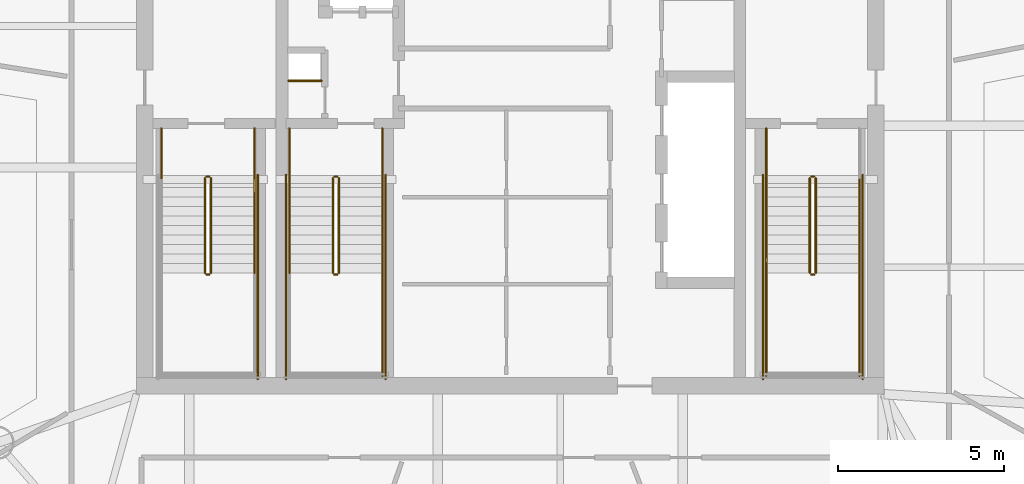
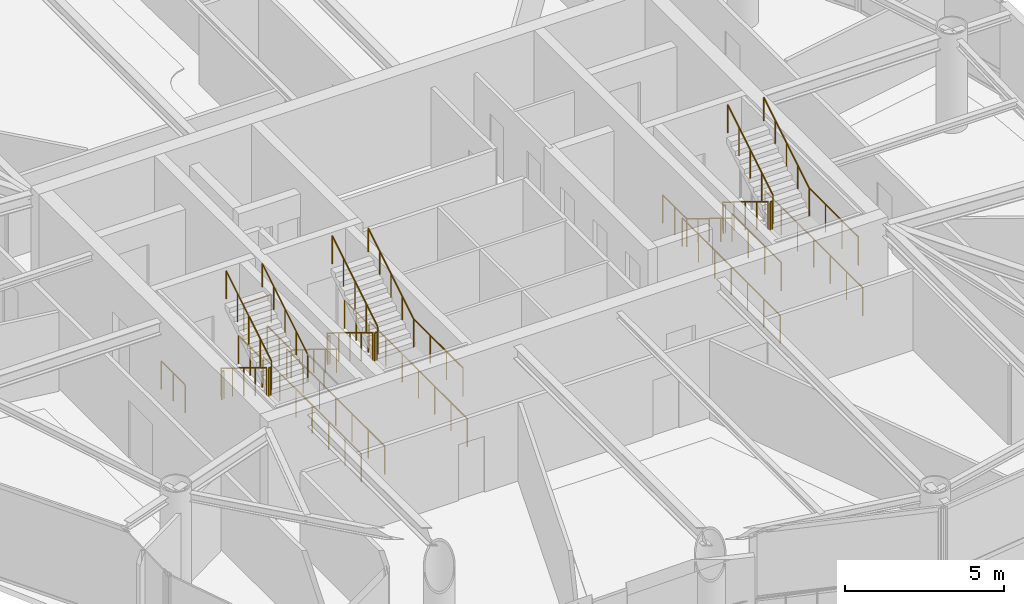
# One storey, part 19 of 20: 31 railings.
"""IFC4 building model written with IfcOpenShell, lengths in metres."""

from ifc_helpers import new_model, si_unit, direction, frame, origin, origin_2d, place, context, subcontext, project, spatial, circle, extrude, material, type_object, element, save


model = new_model("IFC4")

# Units and contexts
model_context = context("Model", 3, precision=1e-05, world=origin(), true_north=direction((0.0, 1.0)))
body_context = subcontext(model_context, "Body", "Model", "MODEL_VIEW")
ifc_project = project(units=[si_unit("LENGTHUNIT", "METRE"), si_unit("AREAUNIT", "SQUARE_METRE"), si_unit("VOLUMEUNIT", "CUBIC_METRE"), si_unit("PLANEANGLEUNIT", "RADIAN"), si_unit("MASSUNIT", "GRAM", prefix="KILO")], contexts=[model_context])

# Site, building, storey
site_placement = place(None, origin())
site = spatial("IfcSite", under=ifc_project, at=site_placement, CompositionType="ELEMENT")
building_placement = place(site_placement, origin())
building = spatial("IfcBuilding", under=site, at=building_placement, Name="Bramvorn Convention Spire", CompositionType="ELEMENT")
storey_placement = place(building_placement, frame((0.0, 0.0, 245.89990234375)))
storey = spatial("IfcBuildingStorey", under=building, at=storey_placement, Name="L62", CompositionType="ELEMENT", Elevation=245.89990234375)

# Railings
ifc_material_1 = material(Name="Painted Steel Balustrade & Guardrail", Category="steel")
railing_type_1 = type_object("IfcRailingType", Name="RL-STAIR-GUARD-1100", PredefinedType="GUARDRAIL", material=ifc_material_1)
railing_1_placement = place(storey_placement, frame((28.81005859375, 25.050048828125, 0.175048828125)))
element("IfcRailing", 1, at=railing_1_placement, inside=storey, type_object=railing_type_1, Name="L62 ST1 stair guard 1", PredefinedType="GUARDRAIL", context=body_context, shape_type="SweptSolid", body=[
    extrude(circle(Radius=0.02392578125, at=origin_2d()), frame((0.0, 0.0, 1.076171875), z_axis=(0.0, -0.852179220489, 0.52325001306), x_axis=(1.0, 0.0, 0.0)), (0.0, 0.0, 1.0), 3.344482421875),
    extrude(circle(Radius=0.02099609375, at=origin_2d()), origin(), (0.0, 0.0, 1.0), 1.052001953125),
    extrude(circle(Radius=0.02099609375, at=origin_2d()), frame((0.0, -0.71240234375, 0.4375)), (0.0, 0.0, 1.0), 1.052001953125),
    extrude(circle(Radius=0.02099609375, at=origin_2d()), frame((0.0, -1.425048828125, 0.875)), (0.0, 0.0, 1.0), 1.052001953125),
    extrude(circle(Radius=0.02099609375, at=origin_2d()), frame((0.0, -2.1376953125, 1.3125)), (0.0, 0.0, 1.0), 1.052001953125),
    extrude(circle(Radius=0.02099609375, at=origin_2d()), frame((0.0, -2.85009765625, 1.75)), (0.0, 0.0, 1.0), 1.052001953125),
])
railing_2_placement = place(storey_placement, frame((28.860107421875, 22.14990234375, 1.925048828125)))
element("IfcRailing", 2, at=railing_2_placement, inside=storey, type_object=railing_type_1, Name="L62 ST1 stair guard 2", PredefinedType="GUARDRAIL", context=body_context, shape_type="SweptSolid", body=[
    extrude(circle(Radius=0.02392578125, at=origin_2d()), frame((0.0, 0.0, 1.076171875), z_axis=(1.0, 0.0, 0.0), x_axis=(0.0, 1.0, 0.0)), (0.0, 0.0, 1.0), 0.079833984375),
    extrude(circle(Radius=0.02099609375, at=origin_2d()), origin(), (0.0, 0.0, 1.0), 1.052001953125),
    extrude(circle(Radius=0.02099609375, at=origin_2d()), frame((0.079833984375, 0.0, 0.0)), (0.0, 0.0, 1.0), 1.052001953125),
])
railing_3_placement = place(storey_placement, frame((28.989990234375, 22.199951171875, 2.10009765625)))
element("IfcRailing", 3, at=railing_3_placement, inside=storey, type_object=railing_type_1, Name="L62 ST1 stair guard 6", PredefinedType="GUARDRAIL", context=body_context, shape_type="SweptSolid", body=[
    extrude(circle(Radius=0.02392578125, at=origin_2d()), frame((0.0, 0.0, 1.076171875), z_axis=(0.0, 0.852179220489, 0.52325001306), x_axis=(-1.0, 0.0, 0.0)), (0.0, 0.0, 1.0), 3.344482421875),
    extrude(circle(Radius=0.02099609375, at=origin_2d()), origin(), (0.0, 0.0, 1.0), 1.052001953125),
    extrude(circle(Radius=0.02099609375, at=origin_2d()), frame((0.0, 0.71240234375, 0.4375)), (0.0, 0.0, 1.0), 1.052001953125),
    extrude(circle(Radius=0.02099609375, at=origin_2d()), frame((0.0, 1.425048828125, 0.875)), (0.0, 0.0, 1.0), 1.052001953125),
    extrude(circle(Radius=0.02099609375, at=origin_2d()), frame((0.0, 2.1376953125, 1.3125)), (0.0, 0.0, 1.0), 1.052001953125),
    extrude(circle(Radius=0.02099609375, at=origin_2d()), frame((0.0, 2.85009765625, 1.75)), (0.0, 0.0, 1.0), 1.052001953125),
])
railing_4_placement = place(storey_placement, frame((28.860107421875, 25.10009765625, 0.0)))
element("IfcRailing", 4, at=railing_4_placement, inside=storey, type_object=railing_type_1, Name="L62 ST1 stair guard 7", PredefinedType="GUARDRAIL", context=body_context, shape_type="SweptSolid", body=[
    extrude(circle(Radius=0.02392578125, at=origin_2d()), frame((0.0, 0.0, 1.076171875), z_axis=(1.0, 0.0, 0.0), x_axis=(0.0, 1.0, 0.0)), (0.0, 0.0, 1.0), 0.079833984375),
    extrude(circle(Radius=0.02099609375, at=origin_2d()), origin(), (0.0, 0.0, 1.0), 1.052001953125),
    extrude(circle(Radius=0.02099609375, at=origin_2d()), frame((0.079833984375, 0.0, 0.0)), (0.0, 0.0, 1.0), 1.052001953125),
])
for number, where, name in (
    (5, (27.5, 26.550048828125, 0.0), "L62 ST1 stair guard 8"),
    (6, (30.300048828125, 26.550048828125, 0.0), "L62 ST1 stair guard 9"),
):
    element("IfcRailing", number, at=place(storey_placement, frame(where)), inside=storey, type_object=railing_type_1, Name=name, PredefinedType="GUARDRAIL", context=body_context, shape_type="SweptSolid", body=[
        extrude(circle(Radius=0.02392578125, at=origin_2d()), frame((0.0, 0.0, 1.076171875), z_axis=(0.0, -1.0, 0.0), x_axis=(1.0, 0.0, 0.0)), (0.0, 0.0, 1.0), 1.5),
        extrude(circle(Radius=0.02099609375, at=origin_2d()), origin(), (0.0, 0.0, 1.0), 1.052001953125),
        extrude(circle(Radius=0.02099609375, at=origin_2d()), frame((0.0, -0.75, 0.0)), (0.0, 0.0, 1.0), 1.052001953125),
        extrude(circle(Radius=0.02099609375, at=origin_2d()), frame((0.0, -1.5, 0.0)), (0.0, 0.0, 1.0), 1.052001953125),
    ])
railing_5_placement = place(storey_placement, frame((30.39990234375, 25.14990234375, 0.0)))
element("IfcRailing", 7, at=railing_5_placement, inside=storey, type_object=railing_type_1, Name="L62 ST1 stair guard 11", PredefinedType="GUARDRAIL", context=body_context, shape_type="SweptSolid", body=[
    extrude(circle(Radius=0.02392578125, at=origin_2d()), frame((0.0, 0.0, 1.076171875), z_axis=(0.0, -1.0, 0.0), x_axis=(1.0, 0.0, 0.0)), (0.0, 0.0, 1.0), 6.14990234375),
    extrude(circle(Radius=0.02099609375, at=origin_2d()), origin(), (0.0, 0.0, 1.0), 1.052001953125),
    extrude(circle(Radius=0.02099609375, at=origin_2d()), frame((0.0, -1.02490234375, 0.0)), (0.0, 0.0, 1.0), 1.052001953125),
    extrude(circle(Radius=0.02099609375, at=origin_2d()), frame((0.0, -2.050048828125, 0.0)), (0.0, 0.0, 1.0), 1.052001953125),
    extrude(circle(Radius=0.02099609375, at=origin_2d()), frame((0.0, -3.074951171875, 0.0)), (0.0, 0.0, 1.0), 1.052001953125),
    extrude(circle(Radius=0.02099609375, at=origin_2d()), frame((0.0, -4.099853515625, 0.0)), (0.0, 0.0, 1.0), 1.052001953125),
    extrude(circle(Radius=0.02099609375, at=origin_2d()), frame((0.0, -5.125, 0.0)), (0.0, 0.0, 1.0), 1.052001953125),
    extrude(circle(Radius=0.02099609375, at=origin_2d()), frame((0.0, -6.14990234375, 0.0)), (0.0, 0.0, 1.0), 1.052001953125),
])
railing_6_placement = place(storey_placement, frame((47.010009765625, 25.050048828125, 0.175048828125)))
element("IfcRailing", 8, at=railing_6_placement, inside=storey, type_object=railing_type_1, Name="L62 ST2 stair guard 1", PredefinedType="GUARDRAIL", context=body_context, shape_type="SweptSolid", body=[
    extrude(circle(Radius=0.02392578125, at=origin_2d()), frame((0.0, 0.0, 1.076171875), z_axis=(0.0, -0.852179220489, 0.52325001306), x_axis=(1.0, 0.0, 0.0)), (0.0, 0.0, 1.0), 3.344482421875),
    extrude(circle(Radius=0.02099609375, at=origin_2d()), origin(), (0.0, 0.0, 1.0), 1.052001953125),
    extrude(circle(Radius=0.02099609375, at=origin_2d()), frame((0.0, -0.71240234375, 0.4375)), (0.0, 0.0, 1.0), 1.052001953125),
    extrude(circle(Radius=0.02099609375, at=origin_2d()), frame((0.0, -1.425048828125, 0.875)), (0.0, 0.0, 1.0), 1.052001953125),
    extrude(circle(Radius=0.02099609375, at=origin_2d()), frame((0.0, -2.1376953125, 1.3125)), (0.0, 0.0, 1.0), 1.052001953125),
    extrude(circle(Radius=0.02099609375, at=origin_2d()), frame((0.0, -2.85009765625, 1.75)), (0.0, 0.0, 1.0), 1.052001953125),
])
railing_7_placement = place(storey_placement, frame((47.06005859375, 22.14990234375, 1.925048828125)))
element("IfcRailing", 9, at=railing_7_placement, inside=storey, type_object=railing_type_1, Name="L62 ST2 stair guard 2", PredefinedType="GUARDRAIL", context=body_context, shape_type="SweptSolid", body=[
    extrude(circle(Radius=0.02392578125, at=origin_2d()), frame((0.0, 0.0, 1.076171875), z_axis=(1.0, 0.0, 0.0), x_axis=(0.0, 1.0, 0.0)), (0.0, 0.0, 1.0), 0.079833984375),
    extrude(circle(Radius=0.02099609375, at=origin_2d()), origin(), (0.0, 0.0, 1.0), 1.052001953125),
    extrude(circle(Radius=0.02099609375, at=origin_2d()), frame((0.079833984375, 0.0, 0.0)), (0.0, 0.0, 1.0), 1.052001953125),
])
for number, where, name in (
    (10, (45.699951171875, 22.199951171875, 1.925048828125), "L62 ST2 stair guard 3"),
    (11, (48.5, 22.199951171875, 1.925048828125), "L62 ST2 stair guard 4"),
):
    element("IfcRailing", number, at=place(storey_placement, frame(where)), inside=storey, type_object=railing_type_1, Name=name, PredefinedType="GUARDRAIL", context=body_context, shape_type="SweptSolid", body=[
        extrude(circle(Radius=0.02392578125, at=origin_2d()), frame((0.0, 0.0, 1.076171875), z_axis=(0.0, -1.0, 0.0), x_axis=(1.0, 0.0, 0.0)), (0.0, 0.0, 1.0), 3.099853515625),
        extrude(circle(Radius=0.02099609375, at=origin_2d()), origin(), (0.0, 0.0, 1.0), 1.052001953125),
        extrude(circle(Radius=0.02099609375, at=origin_2d()), frame((0.0, -1.033203125, 0.0)), (0.0, 0.0, 1.0), 1.052001953125),
        extrude(circle(Radius=0.02099609375, at=origin_2d()), frame((0.0, -2.066650390625, 0.0)), (0.0, 0.0, 1.0), 1.052001953125),
        extrude(circle(Radius=0.02099609375, at=origin_2d()), frame((0.0, -3.099853515625, 0.0)), (0.0, 0.0, 1.0), 1.052001953125),
    ])
railing_8_placement = place(storey_placement, frame((47.18994140625, 22.199951171875, 2.10009765625)))
element("IfcRailing", 12, at=railing_8_placement, inside=storey, type_object=railing_type_1, Name="L62 ST2 stair guard 6", PredefinedType="GUARDRAIL", context=body_context, shape_type="SweptSolid", body=[
    extrude(circle(Radius=0.02392578125, at=origin_2d()), frame((0.0, 0.0, 1.076171875), z_axis=(0.0, 0.852179220489, 0.52325001306), x_axis=(-1.0, 0.0, 0.0)), (0.0, 0.0, 1.0), 3.344482421875),
    extrude(circle(Radius=0.02099609375, at=origin_2d()), origin(), (0.0, 0.0, 1.0), 1.052001953125),
    extrude(circle(Radius=0.02099609375, at=origin_2d()), frame((0.0, 0.71240234375, 0.4375)), (0.0, 0.0, 1.0), 1.052001953125),
    extrude(circle(Radius=0.02099609375, at=origin_2d()), frame((0.0, 1.425048828125, 0.875)), (0.0, 0.0, 1.0), 1.052001953125),
    extrude(circle(Radius=0.02099609375, at=origin_2d()), frame((0.0, 2.1376953125, 1.3125)), (0.0, 0.0, 1.0), 1.052001953125),
    extrude(circle(Radius=0.02099609375, at=origin_2d()), frame((0.0, 2.85009765625, 1.75)), (0.0, 0.0, 1.0), 1.052001953125),
])
railing_9_placement = place(storey_placement, frame((47.06005859375, 25.10009765625, 0.0)))
element("IfcRailing", 13, at=railing_9_placement, inside=storey, type_object=railing_type_1, Name="L62 ST2 stair guard 7", PredefinedType="GUARDRAIL", context=body_context, shape_type="SweptSolid", body=[
    extrude(circle(Radius=0.02392578125, at=origin_2d()), frame((0.0, 0.0, 1.076171875), z_axis=(1.0, 0.0, 0.0), x_axis=(0.0, 1.0, 0.0)), (0.0, 0.0, 1.0), 0.079833984375),
    extrude(circle(Radius=0.02099609375, at=origin_2d()), origin(), (0.0, 0.0, 1.0), 1.052001953125),
    extrude(circle(Radius=0.02099609375, at=origin_2d()), frame((0.079833984375, 0.0, 0.0)), (0.0, 0.0, 1.0), 1.052001953125),
])
railing_10_placement = place(storey_placement, frame((45.699951171875, 26.550048828125, 0.0)))
element("IfcRailing", 14, at=railing_10_placement, inside=storey, type_object=railing_type_1, Name="L62 ST2 stair guard 8", PredefinedType="GUARDRAIL", context=body_context, shape_type="SweptSolid", body=[
    extrude(circle(Radius=0.02392578125, at=origin_2d()), frame((0.0, 0.0, 1.076171875), z_axis=(0.0, -1.0, 0.0), x_axis=(1.0, 0.0, 0.0)), (0.0, 0.0, 1.0), 1.5),
    extrude(circle(Radius=0.02099609375, at=origin_2d()), origin(), (0.0, 0.0, 1.0), 1.052001953125),
    extrude(circle(Radius=0.02099609375, at=origin_2d()), frame((0.0, -0.75, 0.0)), (0.0, 0.0, 1.0), 1.052001953125),
    extrude(circle(Radius=0.02099609375, at=origin_2d()), frame((0.0, -1.5, 0.0)), (0.0, 0.0, 1.0), 1.052001953125),
])
for number, where, name in (
    (15, (45.60009765625, 25.14990234375, 0.0), "L62 ST2 stair guard 10"),
    (16, (48.60009765625, 25.14990234375, 0.0), "L62 ST2 stair guard 11"),
):
    element("IfcRailing", number, at=place(storey_placement, frame(where)), inside=storey, type_object=railing_type_1, Name=name, PredefinedType="GUARDRAIL", context=body_context, shape_type="SweptSolid", body=[
        extrude(circle(Radius=0.02392578125, at=origin_2d()), frame((0.0, 0.0, 1.076171875), z_axis=(0.0, -1.0, 0.0), x_axis=(1.0, 0.0, 0.0)), (0.0, 0.0, 1.0), 6.14990234375),
        extrude(circle(Radius=0.02099609375, at=origin_2d()), origin(), (0.0, 0.0, 1.0), 1.052001953125),
        extrude(circle(Radius=0.02099609375, at=origin_2d()), frame((0.0, -1.02490234375, 0.0)), (0.0, 0.0, 1.0), 1.052001953125),
        extrude(circle(Radius=0.02099609375, at=origin_2d()), frame((0.0, -2.050048828125, 0.0)), (0.0, 0.0, 1.0), 1.052001953125),
        extrude(circle(Radius=0.02099609375, at=origin_2d()), frame((0.0, -3.074951171875, 0.0)), (0.0, 0.0, 1.0), 1.052001953125),
        extrude(circle(Radius=0.02099609375, at=origin_2d()), frame((0.0, -4.099853515625, 0.0)), (0.0, 0.0, 1.0), 1.052001953125),
        extrude(circle(Radius=0.02099609375, at=origin_2d()), frame((0.0, -5.125, 0.0)), (0.0, 0.0, 1.0), 1.052001953125),
        extrude(circle(Radius=0.02099609375, at=origin_2d()), frame((0.0, -6.14990234375, 0.0)), (0.0, 0.0, 1.0), 1.052001953125),
    ])
railing_11_placement = place(storey_placement, frame((32.659912109375, 25.050048828125, 0.175048828125)))
element("IfcRailing", 17, at=railing_11_placement, inside=storey, type_object=railing_type_1, Name="L62 ST3 stair guard 1", PredefinedType="GUARDRAIL", context=body_context, shape_type="SweptSolid", body=[
    extrude(circle(Radius=0.02392578125, at=origin_2d()), frame((0.0, 0.0, 1.076171875), z_axis=(0.0, -0.852179220489, 0.52325001306), x_axis=(1.0, 0.0, 0.0)), (0.0, 0.0, 1.0), 3.344482421875),
    extrude(circle(Radius=0.02099609375, at=origin_2d()), origin(), (0.0, 0.0, 1.0), 1.052001953125),
    extrude(circle(Radius=0.02099609375, at=origin_2d()), frame((0.0, -0.71240234375, 0.4375)), (0.0, 0.0, 1.0), 1.052001953125),
    extrude(circle(Radius=0.02099609375, at=origin_2d()), frame((0.0, -1.425048828125, 0.875)), (0.0, 0.0, 1.0), 1.052001953125),
    extrude(circle(Radius=0.02099609375, at=origin_2d()), frame((0.0, -2.1376953125, 1.3125)), (0.0, 0.0, 1.0), 1.052001953125),
    extrude(circle(Radius=0.02099609375, at=origin_2d()), frame((0.0, -2.85009765625, 1.75)), (0.0, 0.0, 1.0), 1.052001953125),
])
railing_12_placement = place(storey_placement, frame((32.7099609375, 22.14990234375, 1.925048828125)))
element("IfcRailing", 18, at=railing_12_placement, inside=storey, type_object=railing_type_1, Name="L62 ST3 stair guard 2", PredefinedType="GUARDRAIL", context=body_context, shape_type="SweptSolid", body=[
    extrude(circle(Radius=0.02392578125, at=origin_2d()), frame((0.0, 0.0, 1.076171875), z_axis=(1.0, 0.0, 0.0), x_axis=(0.0, 1.0, 0.0)), (0.0, 0.0, 1.0), 0.080078125),
    extrude(circle(Radius=0.02099609375, at=origin_2d()), origin(), (0.0, 0.0, 1.0), 1.052001953125),
    extrude(circle(Radius=0.02099609375, at=origin_2d()), frame((0.080078125, 0.0, 0.0)), (0.0, 0.0, 1.0), 1.052001953125),
])
railing_13_placement = place(storey_placement, frame((34.14990234375, 22.199951171875, 1.925048828125)))
element("IfcRailing", 19, at=railing_13_placement, inside=storey, type_object=railing_type_1, Name="L62 ST3 stair guard 4", PredefinedType="GUARDRAIL", context=body_context, shape_type="SweptSolid", body=[
    extrude(circle(Radius=0.02392578125, at=origin_2d()), frame((0.0, 0.0, 1.076171875), z_axis=(0.0, -1.0, 0.0), x_axis=(1.0, 0.0, 0.0)), (0.0, 0.0, 1.0), 3.099853515625),
    extrude(circle(Radius=0.02099609375, at=origin_2d()), origin(), (0.0, 0.0, 1.0), 1.052001953125),
    extrude(circle(Radius=0.02099609375, at=origin_2d()), frame((0.0, -1.033203125, 0.0)), (0.0, 0.0, 1.0), 1.052001953125),
    extrude(circle(Radius=0.02099609375, at=origin_2d()), frame((0.0, -2.066650390625, 0.0)), (0.0, 0.0, 1.0), 1.052001953125),
    extrude(circle(Radius=0.02099609375, at=origin_2d()), frame((0.0, -3.099853515625, 0.0)), (0.0, 0.0, 1.0), 1.052001953125),
])
railing_14_placement = place(storey_placement, frame((32.840087890625, 22.199951171875, 2.10009765625)))
element("IfcRailing", 20, at=railing_14_placement, inside=storey, type_object=railing_type_1, Name="L62 ST3 stair guard 6", PredefinedType="GUARDRAIL", context=body_context, shape_type="SweptSolid", body=[
    extrude(circle(Radius=0.02392578125, at=origin_2d()), frame((0.0, 0.0, 1.076171875), z_axis=(0.0, 0.852179220489, 0.52325001306), x_axis=(-1.0, 0.0, 0.0)), (0.0, 0.0, 1.0), 3.344482421875),
    extrude(circle(Radius=0.02099609375, at=origin_2d()), origin(), (0.0, 0.0, 1.0), 1.052001953125),
    extrude(circle(Radius=0.02099609375, at=origin_2d()), frame((0.0, 0.71240234375, 0.4375)), (0.0, 0.0, 1.0), 1.052001953125),
    extrude(circle(Radius=0.02099609375, at=origin_2d()), frame((0.0, 1.425048828125, 0.875)), (0.0, 0.0, 1.0), 1.052001953125),
    extrude(circle(Radius=0.02099609375, at=origin_2d()), frame((0.0, 2.1376953125, 1.3125)), (0.0, 0.0, 1.0), 1.052001953125),
    extrude(circle(Radius=0.02099609375, at=origin_2d()), frame((0.0, 2.85009765625, 1.75)), (0.0, 0.0, 1.0), 1.052001953125),
])
railing_15_placement = place(storey_placement, frame((32.7099609375, 25.10009765625, 0.0)))
element("IfcRailing", 21, at=railing_15_placement, inside=storey, type_object=railing_type_1, Name="L62 ST3 stair guard 7", PredefinedType="GUARDRAIL", context=body_context, shape_type="SweptSolid", body=[
    extrude(circle(Radius=0.02392578125, at=origin_2d()), frame((0.0, 0.0, 1.076171875), z_axis=(1.0, 0.0, 0.0), x_axis=(0.0, 1.0, 0.0)), (0.0, 0.0, 1.0), 0.080078125),
    extrude(circle(Radius=0.02099609375, at=origin_2d()), origin(), (0.0, 0.0, 1.0), 1.052001953125),
    extrude(circle(Radius=0.02099609375, at=origin_2d()), frame((0.080078125, 0.0, 0.0)), (0.0, 0.0, 1.0), 1.052001953125),
])
for number, where, name in (
    (22, (31.35009765625, 26.550048828125, 0.0), "L62 ST3 stair guard 8"),
    (23, (34.14990234375, 26.550048828125, 0.0), "L62 ST3 stair guard 9"),
):
    element("IfcRailing", number, at=place(storey_placement, frame(where)), inside=storey, type_object=railing_type_1, Name=name, PredefinedType="GUARDRAIL", context=body_context, shape_type="SweptSolid", body=[
        extrude(circle(Radius=0.02392578125, at=origin_2d()), frame((0.0, 0.0, 1.076171875), z_axis=(0.0, -1.0, 0.0), x_axis=(1.0, 0.0, 0.0)), (0.0, 0.0, 1.0), 1.5),
        extrude(circle(Radius=0.02099609375, at=origin_2d()), origin(), (0.0, 0.0, 1.0), 1.052001953125),
        extrude(circle(Radius=0.02099609375, at=origin_2d()), frame((0.0, -0.75, 0.0)), (0.0, 0.0, 1.0), 1.052001953125),
        extrude(circle(Radius=0.02099609375, at=origin_2d()), frame((0.0, -1.5, 0.0)), (0.0, 0.0, 1.0), 1.052001953125),
    ])
for number, where, name in (
    (24, (31.25, 25.14990234375, 0.0), "L62 ST3 stair guard 10"),
    (25, (34.25, 25.14990234375, 0.0), "L62 ST3 stair guard 11"),
):
    element("IfcRailing", number, at=place(storey_placement, frame(where)), inside=storey, type_object=railing_type_1, Name=name, PredefinedType="GUARDRAIL", context=body_context, shape_type="SweptSolid", body=[
        extrude(circle(Radius=0.02392578125, at=origin_2d()), frame((0.0, 0.0, 1.076171875), z_axis=(0.0, -1.0, 0.0), x_axis=(1.0, 0.0, 0.0)), (0.0, 0.0, 1.0), 6.14990234375),
        extrude(circle(Radius=0.02099609375, at=origin_2d()), origin(), (0.0, 0.0, 1.0), 1.052001953125),
        extrude(circle(Radius=0.02099609375, at=origin_2d()), frame((0.0, -1.02490234375, 0.0)), (0.0, 0.0, 1.0), 1.052001953125),
        extrude(circle(Radius=0.02099609375, at=origin_2d()), frame((0.0, -2.050048828125, 0.0)), (0.0, 0.0, 1.0), 1.052001953125),
        extrude(circle(Radius=0.02099609375, at=origin_2d()), frame((0.0, -3.074951171875, 0.0)), (0.0, 0.0, 1.0), 1.052001953125),
        extrude(circle(Radius=0.02099609375, at=origin_2d()), frame((0.0, -4.099853515625, 0.0)), (0.0, 0.0, 1.0), 1.052001953125),
        extrude(circle(Radius=0.02099609375, at=origin_2d()), frame((0.0, -5.125, 0.0)), (0.0, 0.0, 1.0), 1.052001953125),
        extrude(circle(Radius=0.02099609375, at=origin_2d()), frame((0.0, -6.14990234375, 0.0)), (0.0, 0.0, 1.0), 1.052001953125),
    ])
railing_16_placement = place(storey_placement, frame((31.320068359375, 27.97998046875, 0.0)))
element("IfcRailing", 26, at=railing_16_placement, inside=storey, type_object=railing_type_1, Name="L62 Telecom riser shaft opening safety guardrail", PredefinedType="GUARDRAIL", context=body_context, shape_type="SweptSolid", body=[
    extrude(circle(Radius=0.02392578125, at=origin_2d()), frame((0.0, 0.0, 1.076171875), z_axis=(1.0, 0.0, 0.0), x_axis=(0.0, 1.0, 0.0)), (0.0, 0.0, 1.0), 1.0),
    extrude(circle(Radius=0.02099609375, at=origin_2d()), origin(), (0.0, 0.0, 1.0), 1.052001953125),
    extrude(circle(Radius=0.02099609375, at=origin_2d()), frame((1.0, 0.0, 0.0)), (0.0, 0.0, 1.0), 1.052001953125),
])
ifc_material_2 = material(Name="Brushed Bronze Tubular Handrail", Category="aluminium")
railing_type_2 = type_object("IfcRailingType", Name="RL-STAIR-HR-920", PredefinedType="HANDRAIL", material=ifc_material_2)
railing_17_placement = place(storey_placement, frame((30.300048828125, 22.199951171875, 2.10009765625)))
element("IfcRailing", 27, at=railing_17_placement, inside=storey, type_object=railing_type_2, Name="L62 ST1 stair handrail 2", PredefinedType="HANDRAIL", context=body_context, shape_type="SweptSolid", body=[
    extrude(circle(Radius=0.02392578125, at=origin_2d()), frame((0.0, 0.0, 0.89599609375), z_axis=(0.0, 0.852179220489, 0.52325001306), x_axis=(-1.0, 0.0, 0.0)), (0.0, 0.0, 1.0), 3.344482421875),
    extrude(circle(Radius=0.02099609375, at=origin_2d()), origin(), (0.0, 0.0, 1.0), 0.871826171875),
    extrude(circle(Radius=0.02099609375, at=origin_2d()), frame((0.0, 0.71240234375, 0.4375)), (0.0, 0.0, 1.0), 0.871826171875),
    extrude(circle(Radius=0.02099609375, at=origin_2d()), frame((0.0, 1.425048828125, 0.875)), (0.0, 0.0, 1.0), 0.871826171875),
    extrude(circle(Radius=0.02099609375, at=origin_2d()), frame((0.0, 2.1376953125, 1.3125)), (0.0, 0.0, 1.0), 0.871826171875),
    extrude(circle(Radius=0.02099609375, at=origin_2d()), frame((0.0, 2.85009765625, 1.75)), (0.0, 0.0, 1.0), 0.871826171875),
])
railing_18_placement = place(storey_placement, frame((45.699951171875, 25.050048828125, 0.175048828125)))
element("IfcRailing", 28, at=railing_18_placement, inside=storey, type_object=railing_type_2, Name="L62 ST2 stair handrail 1", PredefinedType="HANDRAIL", context=body_context, shape_type="SweptSolid", body=[
    extrude(circle(Radius=0.02392578125, at=origin_2d()), frame((0.0, 0.0, 0.89599609375), z_axis=(0.0, -0.852179220489, 0.52325001306), x_axis=(1.0, 0.0, 0.0)), (0.0, 0.0, 1.0), 3.344482421875),
    extrude(circle(Radius=0.02099609375, at=origin_2d()), origin(), (0.0, 0.0, 1.0), 0.871826171875),
    extrude(circle(Radius=0.02099609375, at=origin_2d()), frame((0.0, -0.71240234375, 0.4375)), (0.0, 0.0, 1.0), 0.871826171875),
    extrude(circle(Radius=0.02099609375, at=origin_2d()), frame((0.0, -1.425048828125, 0.875)), (0.0, 0.0, 1.0), 0.871826171875),
    extrude(circle(Radius=0.02099609375, at=origin_2d()), frame((0.0, -2.1376953125, 1.3125)), (0.0, 0.0, 1.0), 0.871826171875),
    extrude(circle(Radius=0.02099609375, at=origin_2d()), frame((0.0, -2.85009765625, 1.75)), (0.0, 0.0, 1.0), 0.871826171875),
])
railing_19_placement = place(storey_placement, frame((48.5, 22.199951171875, 2.10009765625)))
element("IfcRailing", 29, at=railing_19_placement, inside=storey, type_object=railing_type_2, Name="L62 ST2 stair handrail 2", PredefinedType="HANDRAIL", context=body_context, shape_type="SweptSolid", body=[
    extrude(circle(Radius=0.02392578125, at=origin_2d()), frame((0.0, 0.0, 0.89599609375), z_axis=(0.0, 0.852179220489, 0.52325001306), x_axis=(-1.0, 0.0, 0.0)), (0.0, 0.0, 1.0), 3.344482421875),
    extrude(circle(Radius=0.02099609375, at=origin_2d()), origin(), (0.0, 0.0, 1.0), 0.871826171875),
    extrude(circle(Radius=0.02099609375, at=origin_2d()), frame((0.0, 0.71240234375, 0.4375)), (0.0, 0.0, 1.0), 0.871826171875),
    extrude(circle(Radius=0.02099609375, at=origin_2d()), frame((0.0, 1.425048828125, 0.875)), (0.0, 0.0, 1.0), 0.871826171875),
    extrude(circle(Radius=0.02099609375, at=origin_2d()), frame((0.0, 2.1376953125, 1.3125)), (0.0, 0.0, 1.0), 0.871826171875),
    extrude(circle(Radius=0.02099609375, at=origin_2d()), frame((0.0, 2.85009765625, 1.75)), (0.0, 0.0, 1.0), 0.871826171875),
])
railing_20_placement = place(storey_placement, frame((31.35009765625, 25.050048828125, 0.175048828125)))
element("IfcRailing", 30, at=railing_20_placement, inside=storey, type_object=railing_type_2, Name="L62 ST3 stair handrail 1", PredefinedType="HANDRAIL", context=body_context, shape_type="SweptSolid", body=[
    extrude(circle(Radius=0.02392578125, at=origin_2d()), frame((0.0, 0.0, 0.89599609375), z_axis=(0.0, -0.852179220489, 0.52325001306), x_axis=(1.0, 0.0, 0.0)), (0.0, 0.0, 1.0), 3.344482421875),
    extrude(circle(Radius=0.02099609375, at=origin_2d()), origin(), (0.0, 0.0, 1.0), 0.871826171875),
    extrude(circle(Radius=0.02099609375, at=origin_2d()), frame((0.0, -0.71240234375, 0.4375)), (0.0, 0.0, 1.0), 0.871826171875),
    extrude(circle(Radius=0.02099609375, at=origin_2d()), frame((0.0, -1.425048828125, 0.875)), (0.0, 0.0, 1.0), 0.871826171875),
    extrude(circle(Radius=0.02099609375, at=origin_2d()), frame((0.0, -2.1376953125, 1.3125)), (0.0, 0.0, 1.0), 0.871826171875),
    extrude(circle(Radius=0.02099609375, at=origin_2d()), frame((0.0, -2.85009765625, 1.75)), (0.0, 0.0, 1.0), 0.871826171875),
])
railing_21_placement = place(storey_placement, frame((34.14990234375, 22.199951171875, 2.10009765625)))
element("IfcRailing", 31, at=railing_21_placement, inside=storey, type_object=railing_type_2, Name="L62 ST3 stair handrail 2", PredefinedType="HANDRAIL", context=body_context, shape_type="SweptSolid", body=[
    extrude(circle(Radius=0.02392578125, at=origin_2d()), frame((0.0, 0.0, 0.89599609375), z_axis=(0.0, 0.852179220489, 0.52325001306), x_axis=(-1.0, 0.0, 0.0)), (0.0, 0.0, 1.0), 3.344482421875),
    extrude(circle(Radius=0.02099609375, at=origin_2d()), origin(), (0.0, 0.0, 1.0), 0.871826171875),
    extrude(circle(Radius=0.02099609375, at=origin_2d()), frame((0.0, 0.71240234375, 0.4375)), (0.0, 0.0, 1.0), 0.871826171875),
    extrude(circle(Radius=0.02099609375, at=origin_2d()), frame((0.0, 1.425048828125, 0.875)), (0.0, 0.0, 1.0), 0.871826171875),
    extrude(circle(Radius=0.02099609375, at=origin_2d()), frame((0.0, 2.1376953125, 1.3125)), (0.0, 0.0, 1.0), 0.871826171875),
    extrude(circle(Radius=0.02099609375, at=origin_2d()), frame((0.0, 2.85009765625, 1.75)), (0.0, 0.0, 1.0), 0.871826171875),
])

save(model, "model.ifc")
